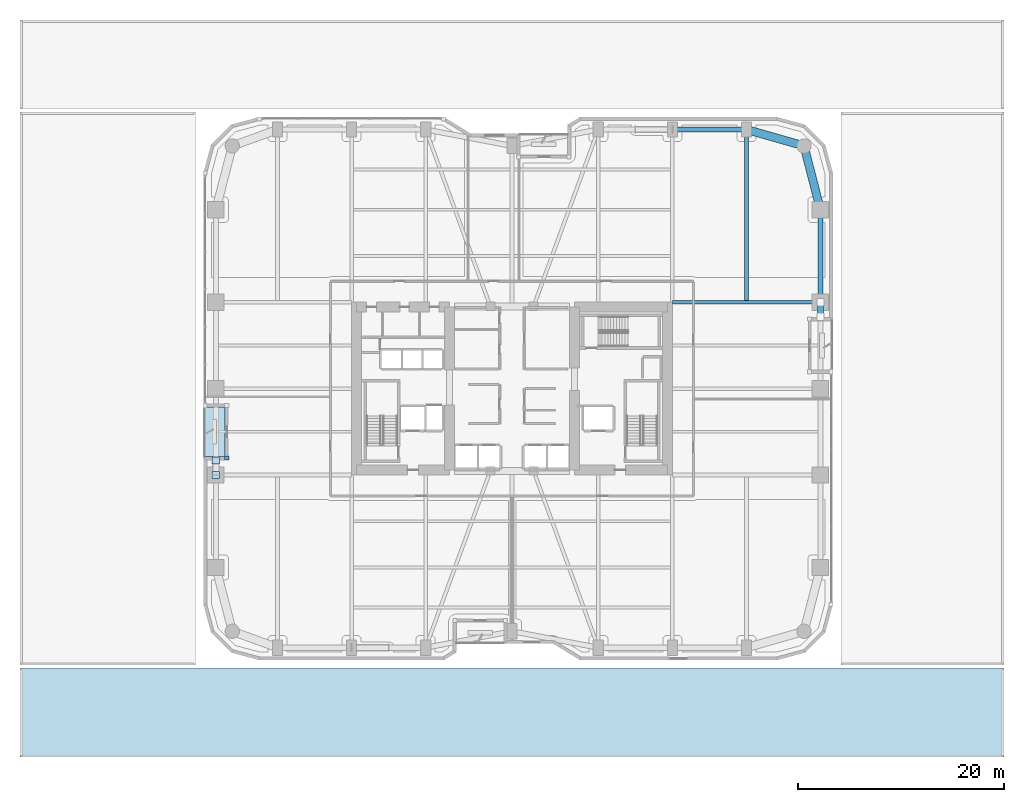
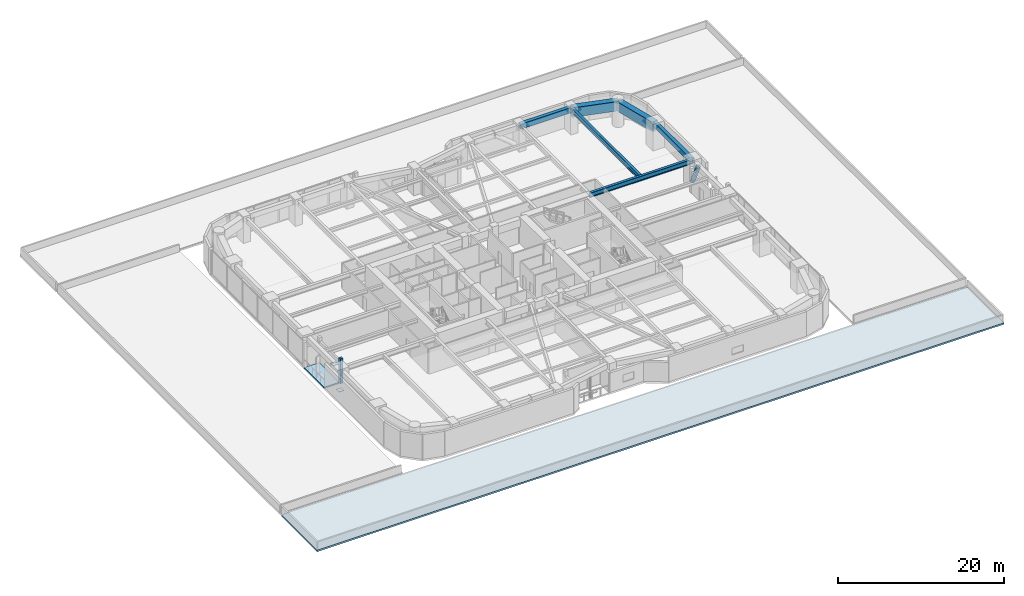
# One storey, part 21 of 38: 6 beams, 3 plates, 2 slabs, 1 member.
"""IFC4 building model written with IfcOpenShell, lengths in metres."""

from ifc_helpers import new_model, si_unit, direction, frame, origin, origin_2d, place, context, subcontext, project, spatial, polyline, rectangle, hollow_circle, i_section, outline, extrude, material, layer, layer_set, material_profile, profile_set, type_object, element, save


model = new_model("IFC4")

# Units and contexts
model_context = context("Model", 3, precision=1e-05, world=origin(), true_north=direction((0.0, 1.0)))
body_context = subcontext(model_context, "Body", "Model", "MODEL_VIEW")
ifc_project = project(units=[si_unit("LENGTHUNIT", "METRE"), si_unit("AREAUNIT", "SQUARE_METRE"), si_unit("VOLUMEUNIT", "CUBIC_METRE"), si_unit("PLANEANGLEUNIT", "RADIAN"), si_unit("MASSUNIT", "GRAM", prefix="KILO")], contexts=[model_context])

# Site, building, storey
site_placement = place(None, origin())
site = spatial("IfcSite", under=ifc_project, at=site_placement, CompositionType="ELEMENT")
building_placement = place(site_placement, origin())
building = spatial("IfcBuilding", under=site, at=building_placement, Name="Kiyonajd Concourse Tower", CompositionType="ELEMENT")
storey_placement = place(building_placement, frame((0.0, 0.0, 21.60009765625)))
storey = spatial("IfcBuildingStorey", under=building, at=storey_placement, Name="L06", CompositionType="ELEMENT", Elevation=21.60009765625)

# Beams
ifc_material_1 = material(Name="Precast concrete C50/60", Category="concrete")
ifc_material_profile_1 = material_profile(ifc_material_1, rectangle(XDim=0.5, YDim=0.75, at=origin_2d()), Name="RCBM-500x750")
ifc_profile_set_1 = profile_set([ifc_material_profile_1], Name="Precast concrete C50/60")
beam_type_1 = type_object("IfcBeamType", Name="BM-SPAN-RC", PredefinedType="SPANDREL", material=ifc_profile_set_1)
beam_1_placement = place(storey_placement, frame((78.0, 44.39990234375, 3.264892578125), z_axis=(0.0, 1.0, 0.0), x_axis=(-1.0, 0.0, 0.0)))
element("IfcBeam", 1, at=beam_1_placement, inside=storey, type_object=beam_type_1, Name="L06 Perimeter Bundled Tube Spandrel", PredefinedType="SPANDREL", context=body_context, shape_type="SweptSolid", body=[
    extrude(rectangle(XDim=0.5, YDim=0.75, at=origin_2d()), origin(), (0.0, 0.0, 1.0), 9.0),
])
beam_2_placement = place(storey_placement, frame((70.800048828125, 61.199951171875, 3.264892578125), z_axis=(-1.0, 0.0, 0.0), x_axis=(0.0, -1.0, 0.0)))
element("IfcBeam", 2, at=beam_2_placement, inside=storey, type_object=beam_type_1, Name="L06 Perimeter Bundled Tube Spandrel", PredefinedType="SPANDREL", context=body_context, shape_type="SweptSolid", body=[
    extrude(rectangle(XDim=0.5, YDim=0.75, at=origin_2d()), origin(), (0.0, 0.0, 1.0), 7.199951171875),
])
ifc_material_2 = material(Name="Steel ASTM A992 Grade 50", Category="steel")
ifc_material_profile_2 = material_profile(ifc_material_2, i_section(OverallWidth=0.35498046875, OverallDepth=0.695068359375, WebThickness=0.015380859375, FlangeThickness=0.02490234375, at=origin_2d()), Name="W690X217")
ifc_profile_set_2 = profile_set([ifc_material_profile_2], Name="Steel ASTM A992 Grade 50")
beam_type_2 = type_object("IfcBeamType", Name="BM-TWR-690", PredefinedType="BEAM", material=ifc_profile_set_2)
beam_3_placement = place(storey_placement, frame((70.800048828125, 44.39990234375, 3.29248046875), z_axis=(0.0, 1.0, 0.0), x_axis=(-1.0, 0.0, 0.0)))
element("IfcBeam", 3, at=beam_3_placement, inside=storey, type_object=beam_type_2, Name="L06 North Lease Girder", PredefinedType="BEAM", context=body_context, shape_type="SweptSolid", body=[
    extrude(i_section(OverallWidth=0.35498046875, OverallDepth=0.695068359375, WebThickness=0.015380859375, FlangeThickness=0.02490234375, at=origin_2d()), origin(), (0.0, 0.0, 1.0), 16.800048828125),
])
beam_4_placement = place(storey_placement, frame((63.60009765625, 44.39990234375, 3.29248046875), z_axis=(1.0, 0.0, 0.0), x_axis=(0.0, 1.0, 0.0)))
element("IfcBeam", 4, at=beam_4_placement, inside=storey, type_object=beam_type_2, Name="L06 East Lease Girder", PredefinedType="BEAM", context=body_context, shape_type="SweptSolid", body=[
    extrude(i_section(OverallWidth=0.35498046875, OverallDepth=0.695068359375, WebThickness=0.015380859375, FlangeThickness=0.02490234375, at=origin_2d()), origin(), (0.0, 0.0, 1.0), 14.39990234375),
])
ifc_material_3 = material(Name="Concrete C60/75", Category="concrete")
ifc_material_profile_3 = material_profile(ifc_material_3, rectangle(XDim=0.800048828125, YDim=1.39990234375, at=origin_2d()), Name="RCBM-800x1400")
ifc_profile_set_3 = profile_set([ifc_material_profile_3], Name="Concrete C60/75")
beam_type_3 = type_object("IfcBeamType", Name="BM-XFER-RC", PredefinedType="BEAM", material=ifc_profile_set_3)
beam_5_placement = place(storey_placement, frame((78.0, 53.39990234375, 2.93994140625), z_axis=(-0.249884937687, 0.968275538221, 0.0), x_axis=(-0.968275538221, -0.249884937687, 0.0)))
element("IfcBeam", 5, at=beam_5_placement, inside=storey, type_object=beam_type_3, Name="L06 Perimeter Bundled Tube Spandrel", PredefinedType="BEAM", context=body_context, shape_type="SweptSolid", body=[
    extrude(rectangle(XDim=0.800048828125, YDim=1.39990234375, at=origin_2d()), origin(), (0.0, 0.0, 1.0), 6.4033203125),
])
beam_6_placement = place(storey_placement, frame((76.39990234375, 59.60009765625, 2.93994140625), z_axis=(-0.961528693205, 0.274704517878, 0.0), x_axis=(-0.274704517878, -0.961528693205, 0.0)))
element("IfcBeam", 6, at=beam_6_placement, inside=storey, type_object=beam_type_3, Name="L06 Perimeter Bundled Tube Spandrel", PredefinedType="BEAM", context=body_context, shape_type="SweptSolid", body=[
    extrude(rectangle(XDim=0.800048828125, YDim=1.39990234375, at=origin_2d()), origin(), (0.0, 0.0, 1.0), 5.823974609375),
])

# Member
ifc_material_4 = material(Name="Steel ASTM A572 Grade 50", Category="steel")
ifc_material_profile_4 = material_profile(ifc_material_4, hollow_circle(Radius=0.304931640625, WallThickness=0.02490234375, at=origin_2d()), Name="CHS-610x25")
ifc_profile_set_4 = profile_set([ifc_material_profile_4], Name="Steel ASTM A572 Grade 50")
member_type = type_object("IfcMemberType", Name="MB-PB-LOW", PredefinedType="BRACE", material=ifc_profile_set_4)
member_placement = place(storey_placement, frame((78.0, 44.39990234375, 0.2998046875), z_axis=(0.0, -0.424022702926, 0.905651559598), x_axis=(1.0, 0.0, 0.0)))
element("IfcMember", 7, at=member_placement, inside=storey, type_object=member_type, Name="L06 Lower Zone Welded Tube Brace PBE", PredefinedType="BRACE", context=body_context, shape_type="SweptSolid", body=[
    extrude(hollow_circle(Radius=0.304931640625, WallThickness=0.02490234375, at=origin_2d()), origin(), (0.0, 0.0, 1.0), 3.301513671875),
])

# Plates
ifc_layer_1 = layer(ifc_material_4, 0.028076171875)
ifc_layer_set_1 = layer_set([ifc_layer_1], Name="Steel ASTM A572 Grade 50")
plate_type_1 = type_object("IfcPlateType", Name="PL-CAP-450", PredefinedType="USERDEFINED", material=ifc_layer_set_1)
for number, where, z_axis, x_axis, name in (
    (8, (19.199951171875, 27.59521484375, 0.27587890625), (0.0, 0.0, 1.0), (1.0, 0.0, 0.0), "L06 Hollow Brace End Cap Plate PBW"),
    (9, (19.199951171875, 29.004638671875, 3.28564453125), (0.0, 0.0, 1.0), (1.0, 0.0, 0.0), "L06 Hollow Brace Top Cap Plate PBW"),
):
    element("IfcPlate", number, at=place(storey_placement, frame(where, z_axis=z_axis, x_axis=x_axis)), inside=storey, type_object=plate_type_1, Name=name, ObjectType="CAP PLATE", PredefinedType="USERDEFINED", context=body_context, shape_type="SweptSolid", body=[
        extrude(rectangle(XDim=0.7099609375, YDim=0.7099609375, at=origin_2d()), origin(), (0.0, 0.0, 1.0), 0.028076171875),
    ])
ifc_material_5 = material(Name="Thermally Broken Anodised Aluminium", Category="aluminium")
ifc_layer_2 = layer(ifc_material_5, 0.39990234375)
ifc_layer_set_2 = layer_set([ifc_layer_2], Name="Thermally Broken Anodised Aluminium")
plate_type_2 = type_object("IfcPlateType", Name="PL-JMB-400", PredefinedType="USERDEFINED", material=ifc_layer_set_2)
plate_placement = place(storey_placement, frame((20.260009765625, 29.239990234375, 0.0), z_axis=(0.0, 0.0, 1.0), x_axis=(1.0, 0.0, 0.0)))
element("IfcPlate", 10, at=plate_placement, inside=storey, type_object=plate_type_2, Name="L06 Facade Jamb Closure Plate 01", ObjectType="JAMB PLATE", PredefinedType="USERDEFINED", context=body_context, shape_type="SweptSolid", body=[
    extrude(rectangle(XDim=0.39990234375, YDim=0.39990234375, at=origin_2d()), origin(), (0.0, 0.0, 1.0), 3.639892578125),
])

# Slabs
ifc_layer_3 = layer(ifc_material_1, 0.199951171875)
ifc_layer_set_3 = layer_set([ifc_layer_3], Name="Precast concrete C50/60")
slab_type_1 = type_object("IfcSlabType", Name="SL-LOG-200", PredefinedType="FLOOR", material=ifc_layer_set_3)
slab_1_placement = place(storey_placement, frame((0.0, 0.0, -0.2001953125)))
element("IfcSlab", 11, at=slab_1_placement, inside=storey, type_object=slab_type_1, Name="L06 Recessed Engawa Loggia Terrace Slab LOG-W", PredefinedType="FLOOR", context=body_context, shape_type="SweptSolid", body=[
    extrude(outline(polyline([(18.0, 29.39990234375), (20.10009765625, 29.39990234375), (20.10009765625, 34.199951171875), (18.0, 34.199951171875), (18.0, 29.39990234375)])), origin(), (0.0, 0.0, 1.0), 0.2001953125),
])
ifc_material_6 = material(Name="Concrete C40/50", Category="concrete")
ifc_layer_4 = layer(ifc_material_6, 0.239990234375)
ifc_layer_set_4 = layer_set([ifc_layer_4], Name="Concrete C40/50")
slab_type_2 = type_object("IfcSlabType", Name="SL-TERR-240", PredefinedType="ROOF", material=ifc_layer_set_4)
slab_2_placement = place(storey_placement, frame((0.0, 0.0, -0.239990234375)))
element("IfcSlab", 12, at=slab_2_placement, inside=storey, type_object=slab_type_2, Name="L06 Setback Maintenance Roof Slab 1", PredefinedType="ROOF", context=body_context, shape_type="SweptSolid", body=[
    extrude(outline(polyline([(95.85009765625, 0.14990234375), (0.14990234375, 0.14990234375), (0.14990234375, 8.800048828125), (95.85009765625, 8.800048828125), (95.85009765625, 0.14990234375)])), origin(), (0.0, 0.0, 1.0), 0.239990234375),
])

save(model, "model.ifc")
